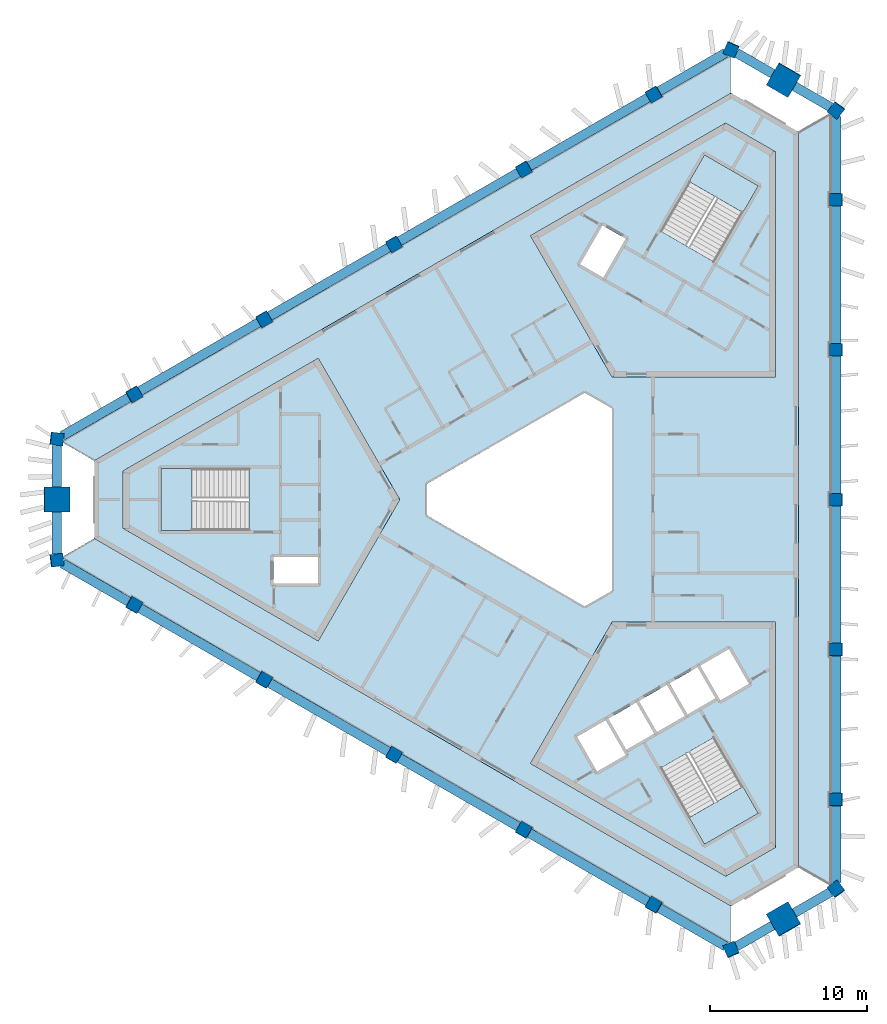
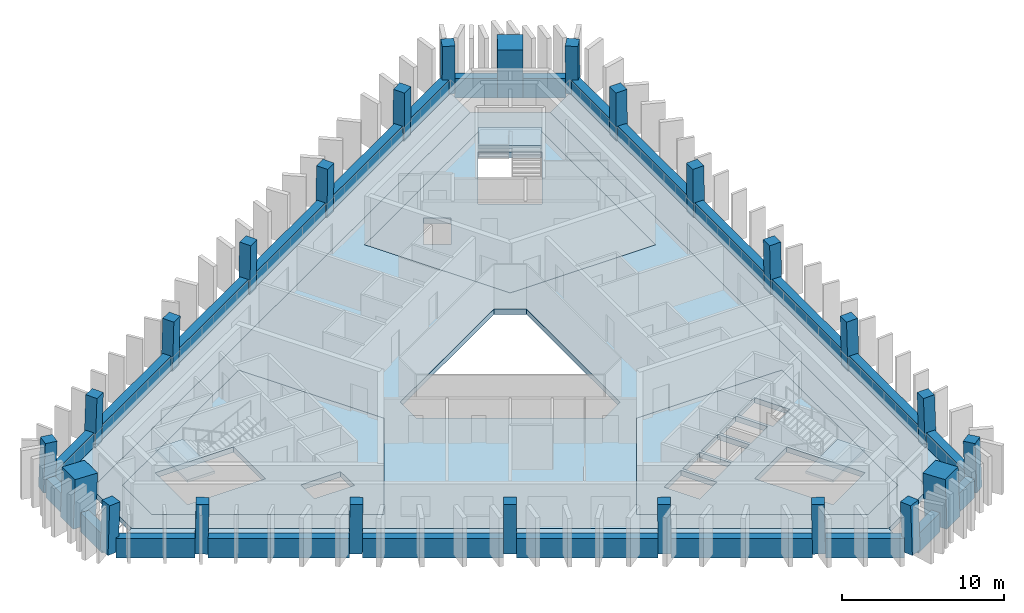
# One storey, part 1 of 8: 24 beams, 24 columns, 10 slabs, 3 elements without a shape of their own.
"""IFC4 building model written with IfcOpenShell, lengths in metres."""

from ifc_helpers import new_model, si_unit, direction, frame, origin, origin_2d, place, context, subcontext, project, spatial, polyline, rectangle, outline, extrude, material, layer, layer_set, material_profile, profile_set, type_object, element, aggregate, save


model = new_model("IFC4")

# Units and contexts
model_context = context("Model", 3, precision=1e-05, world=origin(), true_north=direction((0.0, 1.0)))
body_context = subcontext(model_context, "Body", "Model", "MODEL_VIEW")
ifc_project = project(units=[si_unit("LENGTHUNIT", "METRE"), si_unit("AREAUNIT", "SQUARE_METRE"), si_unit("VOLUMEUNIT", "CUBIC_METRE"), si_unit("PLANEANGLEUNIT", "RADIAN"), si_unit("MASSUNIT", "GRAM", prefix="KILO")], contexts=[model_context])

# Site, building, storey
site_placement = place(None, origin())
site = spatial("IfcSite", under=ifc_project, at=site_placement, CompositionType="ELEMENT")
building_placement = place(site_placement, origin())
building = spatial("IfcBuilding", under=site, at=building_placement, Name="Jabali Bay Hotel Tower and Convention Centre", CompositionType="ELEMENT")
storey_placement = place(building_placement, frame((0.0, 0.0, 292.300048828125)))
storey = spatial("IfcBuildingStorey", under=building, at=storey_placement, Name="L72", CompositionType="ELEMENT", Elevation=292.300048828125)

# Columns
ifc_material_1 = material(Name="Concrete C60", Category="concrete")
ifc_material_profile_1 = material_profile(ifc_material_1, rectangle(XDim=0.800048828125, YDim=0.800048828125, at=origin_2d()), Name="Frame column 800")
ifc_profile_set_1 = profile_set([ifc_material_profile_1], Name="Concrete C60")
column_type_1 = type_object("IfcColumnType", Name="Frame column 800", PredefinedType="COLUMN", material=ifc_profile_set_1)
column_1_placement = place(storey_placement, frame((82.151123046875, 105.784423828125, 0.0), z_axis=(-0.00837646992, -0.028097450282, 0.999570091609), x_axis=(0.866167223961, 0.499300431335, 0.02129364706)))
element("IfcColumn", 1, at=column_1_placement, inside=storey, type_object=column_type_1, Name="FC6 F1.1 L72", PredefinedType="COLUMN", context=body_context, shape_type="SweptSolid", body=[
    extrude(rectangle(XDim=0.800048828125, YDim=0.800048828125, at=origin_2d()), origin(), (0.0, 0.0, 1.0), 3.70166015625),
])
column_2_placement = place(storey_placement, frame((73.886962890625, 101.01318359375, 0.0), z_axis=(0.000857578916, -0.022824792675, 0.999739112668), x_axis=(0.866054521909, 0.499835716509, 0.010668719837)))
element("IfcColumn", 2, at=column_2_placement, inside=storey, type_object=column_type_1, Name="FC6 F1.2 L72", PredefinedType="COLUMN", context=body_context, shape_type="SweptSolid", body=[
    extrude(rectangle(XDim=0.800048828125, YDim=0.800048828125, at=origin_2d()), origin(), (0.0, 0.0, 1.0), 3.700927734375),
])
column_3_placement = place(storey_placement, frame((65.622802734375, 96.24169921875, 0.0), z_axis=(0.010093632329, -0.017416463626, 0.999797372162), x_axis=(-0.501310039048, 0.865033542778, 0.020129943337)))
element("IfcColumn", 3, at=column_3_placement, inside=storey, type_object=column_type_1, Name="FC6 F1.3 L72", PredefinedType="COLUMN", context=body_context, shape_type="SweptSolid", body=[
    extrude(rectangle(XDim=0.800048828125, YDim=0.800048828125, at=origin_2d()), origin(), (0.0, 0.0, 1.0), 3.70068359375),
])
column_4_placement = place(storey_placement, frame((57.358642578125, 91.470458984375, 0.0), z_axis=(0.019328516974, -0.012138044789, 0.999739504221), x_axis=(-0.500208848309, 0.865669585777, 0.020181088508)))
element("IfcColumn", 4, at=column_4_placement, inside=storey, type_object=column_type_1, Name="FC6 F1.4 L72", PredefinedType="COLUMN", context=body_context, shape_type="SweptSolid", body=[
    extrude(rectangle(XDim=0.800048828125, YDim=0.800048828125, at=origin_2d()), origin(), (0.0, 0.0, 1.0), 3.700927734375),
])
for number, where, z_axis, x_axis, name in (
    (5, (49.09423828125, 86.69921875, 0.0), (0.028559101991, -0.006859460986, 0.999568569678), (-0.498513358127, 0.866646856607, 0.020190534949), "FC6 F1.5 L72"),
    (6, (49.09423828125, 73.30078125, 0.0), (0.028559101991, 0.006859460986, 0.999568569678), (-0.866411455062, 0.498874907895, 0.021331123037), "FC6 F2.1 L72"),
):
    element("IfcColumn", number, at=place(storey_placement, frame(where, z_axis=z_axis, x_axis=x_axis)), inside=storey, type_object=column_type_1, Name=name, PredefinedType="COLUMN", context=body_context, shape_type="SweptSolid", body=[
        extrude(rectangle(XDim=0.800048828125, YDim=0.800048828125, at=origin_2d()), origin(), (0.0, 0.0, 1.0), 3.70166015625),
    ])
column_5_placement = place(storey_placement, frame((57.358642578125, 68.529541015625, 0.0), z_axis=(0.019328516974, 0.012138044789, 0.999739504221), x_axis=(-0.865689041461, 0.500468616527, 0.010660551878)))
element("IfcColumn", 7, at=column_5_placement, inside=storey, type_object=column_type_1, Name="FC6 F2.2 L72", PredefinedType="COLUMN", context=body_context, shape_type="SweptSolid", body=[
    extrude(rectangle(XDim=0.800048828125, YDim=0.800048828125, at=origin_2d()), origin(), (0.0, 0.0, 1.0), 3.700927734375),
])
column_6_placement = place(storey_placement, frame((65.622802734375, 63.75830078125, 0.0), z_axis=(0.010093632329, 0.017416463626, 0.999797372162), x_axis=(-0.865208855327, 0.501411643925, 2.82472e-07)))
element("IfcColumn", 8, at=column_6_placement, inside=storey, type_object=column_type_1, Name="FC6 F2.3 L72", PredefinedType="COLUMN", context=body_context, shape_type="SweptSolid", body=[
    extrude(rectangle(XDim=0.800048828125, YDim=0.800048828125, at=origin_2d()), origin(), (0.0, 0.0, 1.0), 3.70068359375),
])
column_7_placement = place(storey_placement, frame((73.886962890625, 58.98681640625, 0.0), z_axis=(0.000857578916, 0.022824792675, 0.999739112668), x_axis=(-0.499948827021, -0.865819429986, 0.020196163479)))
element("IfcColumn", 9, at=column_7_placement, inside=storey, type_object=column_type_1, Name="FC6 F2.4 L72", PredefinedType="COLUMN", context=body_context, shape_type="SweptSolid", body=[
    extrude(rectangle(XDim=0.800048828125, YDim=0.800048828125, at=origin_2d()), origin(), (0.0, 0.0, 1.0), 3.700927734375),
])
for number, where, z_axis, x_axis, name in (
    (10, (82.151123046875, 54.215576171875, 0.0), (-0.00837646992, 0.028097450282, 0.999570091609), (-0.499684075079, -0.865973216997, 0.020154715467), "FC6 F2.5 L72"),
    (11, (93.75439453125, 60.91455078125, 0.0), (-0.020182659751, 0.021303918626, 0.999569308901), (0.000221932948, -0.999772833181, 0.021312737486), "FC6 F0.1 L72"),
):
    element("IfcColumn", number, at=place(storey_placement, frame(where, z_axis=z_axis, x_axis=x_axis)), inside=storey, type_object=column_type_1, Name=name, PredefinedType="COLUMN", context=body_context, shape_type="SweptSolid", body=[
        extrude(rectangle(XDim=0.800048828125, YDim=0.800048828125, at=origin_2d()), origin(), (0.0, 0.0, 1.0), 3.70166015625),
    ])
column_8_placement = place(storey_placement, frame((93.75439453125, 70.457275390625, 0.0), z_axis=(-0.020186088539, 0.010686752756, 0.999739123544), x_axis=(-0.001012906877, -0.999942577175, 0.010668475618)))
element("IfcColumn", 12, at=column_8_placement, inside=storey, type_object=column_type_1, Name="FC6 F0.2 L72", PredefinedType="COLUMN", context=body_context, shape_type="SweptSolid", body=[
    extrude(rectangle(XDim=0.800048828125, YDim=0.800048828125, at=origin_2d()), origin(), (0.0, 0.0, 1.0), 3.700927734375),
])
column_9_placement = place(storey_placement, frame((93.75439453125, 80.0, 0.0), z_axis=(-0.020187241331, 0.0, 0.99979621688), x_axis=(0.0, -1.0, 0.0)))
element("IfcColumn", 13, at=column_9_placement, inside=storey, type_object=column_type_1, Name="FC6 F0.3 L72", PredefinedType="COLUMN", context=body_context, shape_type="SweptSolid", body=[
    extrude(rectangle(XDim=0.800048828125, YDim=0.800048828125, at=origin_2d()), origin(), (0.0, 0.0, 1.0), 3.70068359375),
])
column_10_placement = place(storey_placement, frame((93.75439453125, 89.542724609375, 0.0), z_axis=(-0.020186088539, -0.010686752756, 0.999739123544), x_axis=(0.999795727061, 0.00079728784, 0.020195754082)))
element("IfcColumn", 14, at=column_10_placement, inside=storey, type_object=column_type_1, Name="FC6 F0.4 L72", PredefinedType="COLUMN", context=body_context, shape_type="SweptSolid", body=[
    extrude(rectangle(XDim=0.800048828125, YDim=0.800048828125, at=origin_2d()), origin(), (0.0, 0.0, 1.0), 3.700927734375),
])
column_11_placement = place(storey_placement, frame((93.75439453125, 99.08544921875, 0.0), z_axis=(-0.020182659751, -0.021303918626, 0.999569308901), x_axis=(0.999796284746, -0.000651985093, 0.020173346879)))
element("IfcColumn", 15, at=column_11_placement, inside=storey, type_object=column_type_1, Name="FC6 F0.5 L72", PredefinedType="COLUMN", context=body_context, shape_type="SweptSolid", body=[
    extrude(rectangle(XDim=0.800048828125, YDim=0.800048828125, at=origin_2d()), origin(), (0.0, 0.0, 1.0), 3.70166015625),
])
for number, where, z_axis, x_axis, name in (
    (16, (93.75439453125, 55.2275390625, 0.0), (-0.02017878048, 0.028949296179, 0.999377183584), (-0.796753984535, -0.604302142042, 0.001417480771), "FC6 V0 L72"),
    (17, (93.75439453125, 104.7724609375, 0.0), (-0.02017878048, -0.028949296179, 0.999377183584), (0.603966807818, 0.796229150041, 0.035259547348), "FC6 V1 L72"),
    (18, (87.076416015625, 108.628173828125, 0.0), (-0.015035141917, -0.031982648376, 0.99937533225), (0.921338726535, -0.388758196149, 0.001419828738), "FC6 V2 L72"),
    (19, (44.169189453125, 83.85546875, 0.0), (0.035148025093, -0.002967469286, 0.999377711608), (-0.991651464131, 0.124037058687, 0.035244599012), "FC6 V3 L72"),
    (20, (44.169189453125, 76.14453125, 0.0), (0.035148025093, 0.002967469286, 0.999377711608), (-0.124064459131, 0.992273148986, 0.001416962389), "FC6 V4 L72"),
    (21, (87.076416015625, 51.371826171875, 0.0), (-0.015035141917, 0.031982648376, 0.99937533225), (0.388469941559, -0.920784543272, 0.035311887177), "FC6 V5 L72"),
):
    element("IfcColumn", number, at=place(storey_placement, frame(where, z_axis=z_axis, x_axis=x_axis)), inside=storey, type_object=column_type_1, Name=name, PredefinedType="COLUMN", context=body_context, shape_type="SweptSolid", body=[
        extrude(rectangle(XDim=0.800048828125, YDim=0.800048828125, at=origin_2d()), origin(), (0.0, 0.0, 1.0), 3.7021484375),
    ])
ifc_material_2 = material(Name="Concrete C70", Category="concrete")
ifc_material_profile_2 = material_profile(ifc_material_2, rectangle(XDim=1.60009765625, YDim=1.60009765625, at=origin_2d()), Name="Mega column 1600")
ifc_profile_set_2 = profile_set([ifc_material_profile_2], Name="Concrete C70")
column_type_2 = type_object("IfcColumnType", Name="Mega column 1600", PredefinedType="COLUMN", material=ifc_profile_set_2)
for number, where, z_axis, x_axis, name in (
    (22, (90.41552734375, 106.700439453125, 0.0), (-0.017607001884, -0.030531992032, 0.999378702468), (0.866282372425, -0.499554652892, 2.36829e-07), "MC6 M1 L72"),
    (23, (44.169189453125, 80.0, 0.0), (0.035148179849, 0.0, 0.999382111834), (0.0, 1.0, 0.0), "MC6 M0 L72"),
    (24, (90.41552734375, 53.299560546875, 0.0), (-0.017607001884, 0.030531992032, 0.999378702468), (0.499244273589, -0.865744157495, 0.035244986207), "MC6 M2 L72"),
):
    element("IfcColumn", number, at=place(storey_placement, frame(where, z_axis=z_axis, x_axis=x_axis)), inside=storey, type_object=column_type_2, Name=name, PredefinedType="COLUMN", context=body_context, shape_type="SweptSolid", body=[
        extrude(rectangle(XDim=1.60009765625, YDim=1.60009765625, at=origin_2d()), origin(), (0.0, 0.0, 1.0), 3.7021484375),
    ])

# Beams
ifc_material_profile_3 = material_profile(ifc_material_1, rectangle(XDim=0.60009765625, YDim=1.449951171875, at=origin_2d()), Name="Spandrel 600x1450")
ifc_profile_set_3 = profile_set([ifc_material_profile_3], Name="Concrete C60")
beam_type = type_object("IfcBeamType", Name="Spandrel 600x1450", PredefinedType="SPANDREL", material=ifc_profile_set_3)
beam_1_placement = place(storey_placement, frame((89.716064453125, 107.0888671875, 0.375), z_axis=(-0.866038551572, 0.499977226672, 0.0), x_axis=(-0.499977226672, -0.866038551572, 0.0)))
element("IfcBeam", 25, at=beam_1_placement, inside=storey, type_object=beam_type, Name="Spandrel M1-V2 L72", PredefinedType="SPANDREL", context=body_context, shape_type="SweptSolid", body=[
    extrude(rectangle(XDim=0.60009765625, YDim=1.449951171875, at=origin_2d()), origin(), (0.0, 0.0, 1.0), 2.654296875),
])
beam_2_placement = place(storey_placement, frame((86.724365234375, 108.416015625, 0.375), z_axis=(-0.866029099753, -0.49999359834, 0.0), x_axis=(0.49999359834, -0.866029099753, 0.0)))
element("IfcBeam", 26, at=beam_2_placement, inside=storey, type_object=beam_type, Name="Spandrel V2-F1.1 L72", PredefinedType="SPANDREL", context=body_context, shape_type="SweptSolid", body=[
    extrude(rectangle(XDim=0.60009765625, YDim=1.449951171875, at=origin_2d()), origin(), (0.0, 0.0, 1.0), 4.88427734375),
])
for number, where, z_axis, x_axis, name in (
    (27, (81.8017578125, 105.573974609375, 0.375), (-0.866028803016, -0.499994112312, 0.0), (0.499994112312, -0.866028803016, 0.0), "Spandrel F1.1-F1.2 L72"),
    (28, (73.541015625, 100.8046875, 0.375), (-0.866028803016, -0.499994112312, 0.0), (0.499994112312, -0.866028803016, 0.0), "Spandrel F1.2-F1.3 L72"),
    (29, (65.2802734375, 96.03515625, 0.375), (-0.866040900048, -0.499973158723, 0.0), (0.499973158723, -0.866040900048, 0.0), "Spandrel F1.3-F1.4 L72"),
    (30, (57.019287109375, 91.265869140625, 0.375), (-0.866021818598, -0.500006209673, 0.0), (0.500006209673, -0.866021818598, 0.0), "Spandrel F1.4-F1.5 L72"),
):
    element("IfcBeam", number, at=place(storey_placement, frame(where, z_axis=z_axis, x_axis=x_axis)), inside=storey, type_object=beam_type, Name=name, PredefinedType="SPANDREL", context=body_context, shape_type="SweptSolid", body=[
        extrude(rectangle(XDim=0.60009765625, YDim=1.449951171875, at=origin_2d()), origin(), (0.0, 0.0, 1.0), 8.73876953125),
    ])
beam_3_placement = place(storey_placement, frame((48.758544921875, 86.49658203125, 0.375), z_axis=(-0.866016603171, -0.5000152428, 0.0), x_axis=(0.5000152428, -0.866016603171, 0.0)))
element("IfcBeam", 31, at=beam_3_placement, inside=storey, type_object=beam_type, Name="Spandrel F1.5-V3 L72", PredefinedType="SPANDREL", context=body_context, shape_type="SweptSolid", body=[
    extrude(rectangle(XDim=0.60009765625, YDim=1.449951171875, at=origin_2d()), origin(), (0.0, 0.0, 1.0), 4.884033203125),
])
for number, where, z_axis, x_axis, name in (
    (32, (44.182373046875, 83.454345703125, 0.375), (0.0, -1.0, 0.0), (1.0, 0.0, 0.0), "Spandrel V3-M0 L72"),
    (33, (44.182373046875, 79.199951171875, 0.375), (0.0, -1.0, 0.0), (1.0, 0.0, 0.0), "Spandrel M0-V4 L72"),
):
    element("IfcBeam", number, at=place(storey_placement, frame(where, z_axis=z_axis, x_axis=x_axis)), inside=storey, type_object=beam_type, Name=name, PredefinedType="SPANDREL", context=body_context, shape_type="SweptSolid", body=[
        extrude(rectangle(XDim=0.60009765625, YDim=1.449951171875, at=origin_2d()), origin(), (0.0, 0.0, 1.0), 2.654296875),
    ])
beam_4_placement = place(storey_placement, frame((44.52880859375, 75.945556640625, 0.375), z_axis=(0.866016603171, -0.5000152428, 0.0), x_axis=(0.5000152428, 0.866016603171, 0.0)))
element("IfcBeam", 34, at=beam_4_placement, inside=storey, type_object=beam_type, Name="Spandrel V4-F2.1 L72", PredefinedType="SPANDREL", context=body_context, shape_type="SweptSolid", body=[
    extrude(rectangle(XDim=0.60009765625, YDim=1.449951171875, at=origin_2d()), origin(), (0.0, 0.0, 1.0), 4.884033203125),
])
for number, where, z_axis, x_axis, name in (
    (35, (49.451416015625, 73.103515625, 0.375), (0.866021818598, -0.500006209673, 0.0), (0.500006209673, 0.866021818598, 0.0), "Spandrel F2.1-F2.2 L72"),
    (36, (57.712158203125, 68.333984375, 0.375), (0.866040900048, -0.499973158723, 0.0), (0.499973158723, 0.866040900048, 0.0), "Spandrel F2.2-F2.3 L72"),
    (37, (65.972900390625, 63.564697265625, 0.375), (0.866028803016, -0.499994112312, 0.0), (0.499994112312, 0.866028803016, 0.0), "Spandrel F2.3-F2.4 L72"),
    (38, (74.233642578125, 58.79541015625, 0.375), (0.866028803016, -0.499994112312, 0.0), (0.499994112312, 0.866028803016, 0.0), "Spandrel F2.4-F2.5 L72"),
):
    element("IfcBeam", number, at=place(storey_placement, frame(where, z_axis=z_axis, x_axis=x_axis)), inside=storey, type_object=beam_type, Name=name, PredefinedType="SPANDREL", context=body_context, shape_type="SweptSolid", body=[
        extrude(rectangle(XDim=0.60009765625, YDim=1.449951171875, at=origin_2d()), origin(), (0.0, 0.0, 1.0), 8.73876953125),
    ])
beam_5_placement = place(storey_placement, frame((82.494384765625, 54.026123046875, 0.375), z_axis=(0.866029099753, -0.49999359834, 0.0), x_axis=(0.49999359834, 0.866029099753, 0.0)))
element("IfcBeam", 39, at=beam_5_placement, inside=storey, type_object=beam_type, Name="Spandrel F2.5-V5 L72", PredefinedType="SPANDREL", context=body_context, shape_type="SweptSolid", body=[
    extrude(rectangle(XDim=0.60009765625, YDim=1.449951171875, at=origin_2d()), origin(), (0.0, 0.0, 1.0), 4.88427734375),
])
for number, where, z_axis, x_axis, name in (
    (40, (87.417236328125, 51.583984375, 0.375), (0.866038551572, 0.499977226672, 0.0), (-0.499977226672, 0.866038551572, 0.0), "Spandrel V5-M2 L72"),
    (41, (91.1015625, 53.711181640625, 0.375), (0.866038551572, 0.499977226672, 0.0), (-0.499977226672, 0.866038551572, 0.0), "Spandrel M2-V0 L72"),
):
    element("IfcBeam", number, at=place(storey_placement, frame(where, z_axis=z_axis, x_axis=x_axis)), inside=storey, type_object=beam_type, Name=name, PredefinedType="SPANDREL", context=body_context, shape_type="SweptSolid", body=[
        extrude(rectangle(XDim=0.60009765625, YDim=1.449951171875, at=origin_2d()), origin(), (0.0, 0.0, 1.0), 2.654296875),
    ])
beam_6_placement = place(storey_placement, frame((93.746826171875, 55.63818359375, 0.375), z_axis=(0.0, 1.0, 0.0), x_axis=(-1.0, 0.0, 0.0)))
element("IfcBeam", 42, at=beam_6_placement, inside=storey, type_object=beam_type, Name="Spandrel V0-F0.1 L72", PredefinedType="SPANDREL", context=body_context, shape_type="SweptSolid", body=[
    extrude(rectangle(XDim=0.60009765625, YDim=1.449951171875, at=origin_2d()), origin(), (0.0, 0.0, 1.0), 4.884521484375),
])
for number, where, z_axis, x_axis, name in (
    (43, (93.746826171875, 61.322509765625, 0.375), (0.0, 1.0, 0.0), (-1.0, 0.0, 0.0), "Spandrel F0.1-F0.2 L72"),
    (44, (93.746826171875, 70.861328125, 0.375), (0.0, 1.0, 0.0), (-1.0, 0.0, 0.0), "Spandrel F0.2-F0.3 L72"),
    (45, (93.746826171875, 80.39990234375, 0.375), (0.0, 1.0, 0.0), (-1.0, 0.0, 0.0), "Spandrel F0.3-F0.4 L72"),
    (46, (93.746826171875, 89.938720703125, 0.375), (0.0, 1.0, 0.0), (-1.0, 0.0, 0.0), "Spandrel F0.4-F0.5 L72"),
):
    element("IfcBeam", number, at=place(storey_placement, frame(where, z_axis=z_axis, x_axis=x_axis)), inside=storey, type_object=beam_type, Name=name, PredefinedType="SPANDREL", context=body_context, shape_type="SweptSolid", body=[
        extrude(rectangle(XDim=0.60009765625, YDim=1.449951171875, at=origin_2d()), origin(), (0.0, 0.0, 1.0), 8.73876953125),
    ])
beam_7_placement = place(storey_placement, frame((93.746826171875, 99.477294921875, 0.375), z_axis=(0.0, 1.0, 0.0), x_axis=(-1.0, 0.0, 0.0)))
element("IfcBeam", 47, at=beam_7_placement, inside=storey, type_object=beam_type, Name="Spandrel F0.5-V1 L72", PredefinedType="SPANDREL", context=body_context, shape_type="SweptSolid", body=[
    extrude(rectangle(XDim=0.60009765625, YDim=1.449951171875, at=origin_2d()), origin(), (0.0, 0.0, 1.0), 4.884521484375),
])
beam_8_placement = place(storey_placement, frame((93.400390625, 104.961669921875, 0.375), z_axis=(-0.866038551572, 0.499977226672, 0.0), x_axis=(-0.499977226672, -0.866038551572, 0.0)))
element("IfcBeam", 48, at=beam_8_placement, inside=storey, type_object=beam_type, Name="Spandrel V1-M1 L72", PredefinedType="SPANDREL", context=body_context, shape_type="SweptSolid", body=[
    extrude(rectangle(XDim=0.60009765625, YDim=1.449951171875, at=origin_2d()), origin(), (0.0, 0.0, 1.0), 2.654296875),
])

# Slabs
ifc_material_3 = material(Name="Concrete C40", Category="concrete")
ifc_layer_1 = layer(ifc_material_3, 0.39990234375)
ifc_layer_set_1 = layer_set([ifc_layer_1], Name="Concrete C40")
slab_type_1 = type_object("IfcSlabType", Name="Core floor slab 400", PredefinedType="FLOOR", material=ifc_layer_set_1)
slab_1_placement = place(storey_placement, frame((0.0, 0.0, -0.400146484375)))
element("IfcSlab", 49, at=slab_1_placement, inside=storey, type_object=slab_type_1, Name="Core floor slab 1 L72", PredefinedType="FLOOR", context=body_context, shape_type="SweptSolid", body=[
    extrude(outline(polyline([(66.0, 80.0), (60.81005859375, 88.9892578125), (48.39697265625, 81.82275390625), (48.39697265625, 78.17724609375), (60.81005859375, 71.0107421875), (66.0, 80.0)]), holes=[polyline([(60.800048828125, 76.35009765625), (57.949951171875, 76.35009765625), (57.949951171875, 74.64990234375), (60.800048828125, 74.64990234375), (60.800048828125, 76.35009765625)]), polyline([(50.820068359375, 81.97509765625), (50.820068359375, 78.02490234375), (56.409912109375, 78.02490234375), (56.409912109375, 81.97509765625), (50.820068359375, 81.97509765625)])]), origin(), (0.0, 0.0, 1.0), 0.400146484375),
])
slab_2_placement = place(storey_placement, frame((0.0, 0.0, -0.400146484375)))
element("IfcSlab", 50, at=slab_2_placement, inside=storey, type_object=slab_type_1, Name="Core floor slab 2 L72", PredefinedType="FLOOR", context=body_context, shape_type="SweptSolid", body=[
    extrude(outline(polyline([(79.5, 87.794189453125), (89.8798828125, 87.794189453125), (89.8798828125, 102.127685546875), (86.72314453125, 103.9501953125), (74.31005859375, 96.78369140625), (79.5, 87.794189453125)]), holes=[polyline([(78.93896484375, 94.12255859375), (80.364013671875, 96.5908203125), (78.891845703125, 97.440673828125), (77.466796875, 94.97265625), (78.93896484375, 94.12255859375)]), polyline([(88.80029296875, 99.952880859375), (85.379638671875, 101.927978515625), (82.584716796875, 97.0869140625), (86.00537109375, 95.11181640625), (88.80029296875, 99.952880859375)])]), origin(), (0.0, 0.0, 1.0), 0.400146484375),
])
slab_3_placement = place(storey_placement, frame((0.0, 0.0, -0.400146484375)))
element("IfcSlab", 51, at=slab_3_placement, inside=storey, type_object=slab_type_1, Name="Core floor slab 3 L72", PredefinedType="FLOOR", context=body_context, shape_type="SweptSolid", body=[
    extrude(outline(polyline([(79.5, 72.205810546875), (74.31005859375, 63.21630859375), (86.72314453125, 56.0498046875), (89.8798828125, 57.872314453125), (89.8798828125, 72.205810546875), (79.5, 72.205810546875)]), holes=[polyline([(82.584716796875, 62.9130859375), (85.379638671875, 58.072021484375), (88.80029296875, 60.047119140625), (86.00537109375, 64.88818359375), (82.584716796875, 62.9130859375)]), polyline([(80.365478515625, 63.756591796875), (79.090576171875, 65.96484375), (77.27197265625, 64.9150390625), (78.546875, 62.70654296875), (80.365478515625, 63.756591796875)]), polyline([(82.17919921875, 65.115478515625), (81.0390625, 67.08984375), (79.263671875, 66.06494140625), (80.40380859375, 64.09033203125), (82.17919921875, 65.115478515625)]), polyline([(82.98779296875, 68.21484375), (81.21240234375, 67.18994140625), (82.352294921875, 65.21533203125), (84.127685546875, 66.240478515625), (82.98779296875, 68.21484375)]), polyline([(86.076171875, 67.365478515625), (84.936279296875, 69.33984375), (83.160888671875, 68.31494140625), (84.30078125, 66.34033203125), (86.076171875, 67.365478515625)]), polyline([(88.203125, 68.281494140625), (86.927978515625, 70.489990234375), (85.109375, 69.43994140625), (86.384521484375, 67.231689453125), (88.203125, 68.281494140625)])]), origin(), (0.0, 0.0, 1.0), 0.400146484375),
])
ifc_layer_2 = layer(ifc_material_3, 0.199951171875)
ifc_layer_set_2 = layer_set([ifc_layer_2], Name="Concrete C40")
slab_type_2 = type_object("IfcSlabType", Name="Loggia slab 200", PredefinedType="FLOOR", material=ifc_layer_set_2)
slab_4_placement = place(storey_placement, frame((0.0, 0.0, -0.199951171875)))
element("IfcSlab", 52, at=slab_4_placement, inside=storey, type_object=slab_type_2, Name="Loggia slab east face L72", PredefinedType="FLOOR", context=body_context, shape_type="SweptSolid", body=[
    extrude(outline(polyline([(91.3544921875, 103.386962890625), (93.37841796875, 104.555419921875), (93.454345703125, 104.498046875), (93.454345703125, 99.4853515625), (93.3544921875, 99.4853515625), (93.3544921875, 98.685302734375), (93.454345703125, 98.685302734375), (93.454345703125, 89.942626953125), (93.3544921875, 89.942626953125), (93.3544921875, 89.142822265625), (93.454345703125, 89.142822265625), (93.454345703125, 80.39990234375), (93.3544921875, 80.39990234375), (93.3544921875, 79.60009765625), (93.454345703125, 79.60009765625), (93.454345703125, 70.857177734375), (93.3544921875, 70.857177734375), (93.3544921875, 70.057373046875), (93.454345703125, 70.057373046875), (93.454345703125, 61.314697265625), (93.3544921875, 61.314697265625), (93.3544921875, 60.5146484375), (93.454345703125, 60.5146484375), (93.454345703125, 55.501953125), (93.37841796875, 55.444580078125), (91.3544921875, 56.613037109375), (91.3544921875, 103.386962890625)])), origin(), (0.0, 0.0, 1.0), 0.199951171875),
])
slab_5_placement = place(storey_placement, frame((0.0, 0.0, -0.199951171875)))
element("IfcSlab", 53, at=slab_5_placement, inside=storey, type_object=slab_type_2, Name="Loggia slab north-west face L72", PredefinedType="FLOOR", context=body_context, shape_type="SweptSolid", body=[
    extrude(outline(polyline([(46.569091796875, 82.469970703125), (44.545166015625, 83.638427734375), (44.556884765625, 83.73291015625), (48.89794921875, 86.2392578125), (48.947998046875, 86.152587890625), (49.640625, 86.552734375), (49.5908203125, 86.639404296875), (57.162109375, 91.0107421875), (57.212158203125, 90.924072265625), (57.905029296875, 91.323974609375), (57.85498046875, 91.41064453125), (65.42626953125, 95.781982421875), (65.476318359375, 95.6953125), (66.169189453125, 96.095458984375), (66.119140625, 96.18212890625), (73.690673828125, 100.553466796875), (73.740478515625, 100.466796875), (74.433349609375, 100.86669921875), (74.38330078125, 100.953369140625), (81.954833984375, 105.32470703125), (82.0048828125, 105.238037109375), (82.69775390625, 105.63818359375), (82.647705078125, 105.724609375), (86.98876953125, 108.23095703125), (87.076416015625, 108.194091796875), (87.076416015625, 105.85693359375), (46.569091796875, 82.469970703125)])), origin(), (0.0, 0.0, 1.0), 0.199951171875),
])
slab_6_placement = place(storey_placement, frame((0.0, 0.0, -0.199951171875)))
element("IfcSlab", 54, at=slab_6_placement, inside=storey, type_object=slab_type_2, Name="Loggia slab south-west face L72", PredefinedType="FLOOR", context=body_context, shape_type="SweptSolid", body=[
    extrude(outline(polyline([(87.076416015625, 54.14306640625), (87.076416015625, 51.805908203125), (86.98876953125, 51.76904296875), (82.647705078125, 54.275390625), (82.69775390625, 54.36181640625), (82.0048828125, 54.761962890625), (81.954833984375, 54.67529296875), (74.38330078125, 59.046630859375), (74.433349609375, 59.13330078125), (73.740478515625, 59.533203125), (73.690673828125, 59.446533203125), (66.119140625, 63.81787109375), (66.169189453125, 63.904541015625), (65.476318359375, 64.3046875), (65.42626953125, 64.218017578125), (57.85498046875, 68.58935546875), (57.905029296875, 68.676025390625), (57.212158203125, 69.075927734375), (57.162109375, 68.9892578125), (49.5908203125, 73.360595703125), (49.640625, 73.447265625), (48.947998046875, 73.847412109375), (48.89794921875, 73.7607421875), (44.556884765625, 76.26708984375), (44.545166015625, 76.361572265625), (46.569091796875, 77.530029296875), (87.076416015625, 54.14306640625)])), origin(), (0.0, 0.0, 1.0), 0.199951171875),
])
ifc_layer_3 = layer(ifc_material_3, 0.39990234375)
ifc_layer_set_3 = layer_set([ifc_layer_3], Name="Concrete C40")
slab_type_3 = type_object("IfcSlabType", Name="Post-tensioned flat slab 400", PredefinedType="FLOOR", material=ifc_layer_set_3)
slab_7_placement = place(storey_placement, frame((0.0, 0.0, -0.400146484375)))
element("IfcSlab", 55, at=slab_7_placement, inside=storey, type_object=slab_type_3, Name="Floor slab L72", PredefinedType="FLOOR", context=body_context, shape_type="SweptSolid", body=[
    extrude(outline(polyline([(87.076416015625, 105.85693359375), (91.3544921875, 103.386962890625), (91.3544921875, 56.613037109375), (87.076416015625, 54.14306640625), (46.569091796875, 77.530029296875), (46.569091796875, 82.469970703125), (87.076416015625, 105.85693359375)]), holes=[polyline([(67.73193359375, 79.0), (77.76806640625, 73.205810546875), (79.5, 74.205810546875), (79.5, 85.794189453125), (77.76806640625, 86.794189453125), (67.73193359375, 81.0), (67.73193359375, 79.0)]), polyline([(48.39697265625, 78.17724609375), (60.81005859375, 71.0107421875), (66.0, 80.0), (60.81005859375, 88.9892578125), (48.39697265625, 81.82275390625), (48.39697265625, 78.17724609375)]), polyline([(89.8798828125, 102.127685546875), (86.72314453125, 103.9501953125), (74.31005859375, 96.78369140625), (79.5, 87.794189453125), (89.8798828125, 87.794189453125), (89.8798828125, 102.127685546875)]), polyline([(74.31005859375, 63.21630859375), (86.72314453125, 56.0498046875), (89.8798828125, 57.872314453125), (89.8798828125, 72.205810546875), (79.5, 72.205810546875), (74.31005859375, 63.21630859375)])]), origin(), (0.0, 0.0, 1.0), 0.400146484375),
])

# Stair, slab
stair_type = type_object("IfcStairType", Name="Exit stair 1900", PredefinedType="HALF_TURN_STAIR", material=ifc_material_3)
stair_1_placement = place(storey_placement, origin())
stair_1 = element("IfcStair", 56, at=stair_1_placement, inside=storey, type_object=stair_type, Name="L72 Exit Stair 1", PredefinedType="HALF_TURN_STAIR")
ifc_layer_4 = layer(ifc_material_3, 0.199951171875)
ifc_layer_set_4 = layer_set([ifc_layer_4], Name="Concrete C40")
slab_type_4 = type_object("IfcSlabType", Name="Stair landing 200", PredefinedType="LANDING", material=ifc_layer_set_4)
slab_8_placement = place(storey_placement, frame((0.0, 0.0, 1.64990234375)))
slab_8 = element("IfcSlab", 57, at=slab_8_placement, type_object=slab_type_4, Name="ST1 landing 1", PredefinedType="LANDING", context=body_context, shape_type="SweptSolid", body=[
    extrude(outline(polyline([(52.782958984375, 81.97509765625), (50.820068359375, 81.97509765625), (50.820068359375, 78.02490234375), (52.782958984375, 78.02490234375), (52.782958984375, 81.97509765625)])), origin(), (0.0, 0.0, 1.0), 0.199951171875),
])
aggregate(stair_1, [slab_8])

stair_2_placement = place(storey_placement, origin())
stair_2 = element("IfcStair", 58, at=stair_2_placement, inside=storey, type_object=stair_type, Name="L72 Exit Stair 2", PredefinedType="HALF_TURN_STAIR")
slab_9_placement = place(storey_placement, frame((0.0, 0.0, 1.64990234375)))
slab_9 = element("IfcSlab", 59, at=slab_9_placement, type_object=slab_type_4, Name="ST2 landing 1", PredefinedType="LANDING", context=body_context, shape_type="SweptSolid", body=[
    extrude(outline(polyline([(87.81884765625, 98.2529296875), (88.80029296875, 99.952880859375), (85.379638671875, 101.927978515625), (84.398193359375, 100.22802734375), (87.81884765625, 98.2529296875)])), origin(), (0.0, 0.0, 1.0), 0.199951171875),
])
aggregate(stair_2, [slab_9])

stair_3_placement = place(storey_placement, origin())
stair_3 = element("IfcStair", 60, at=stair_3_placement, inside=storey, type_object=stair_type, Name="L72 Exit Stair 3", PredefinedType="HALF_TURN_STAIR")
slab_10_placement = place(storey_placement, frame((0.0, 0.0, 1.64990234375)))
slab_10 = element("IfcSlab", 61, at=slab_10_placement, type_object=slab_type_4, Name="ST3 landing 1", PredefinedType="LANDING", context=body_context, shape_type="SweptSolid", body=[
    extrude(outline(polyline([(84.398193359375, 59.77197265625), (85.379638671875, 58.072021484375), (88.80029296875, 60.047119140625), (87.81884765625, 61.7470703125), (84.398193359375, 59.77197265625)])), origin(), (0.0, 0.0, 1.0), 0.199951171875),
])
aggregate(stair_3, [slab_10])

save(model, "model.ifc")
